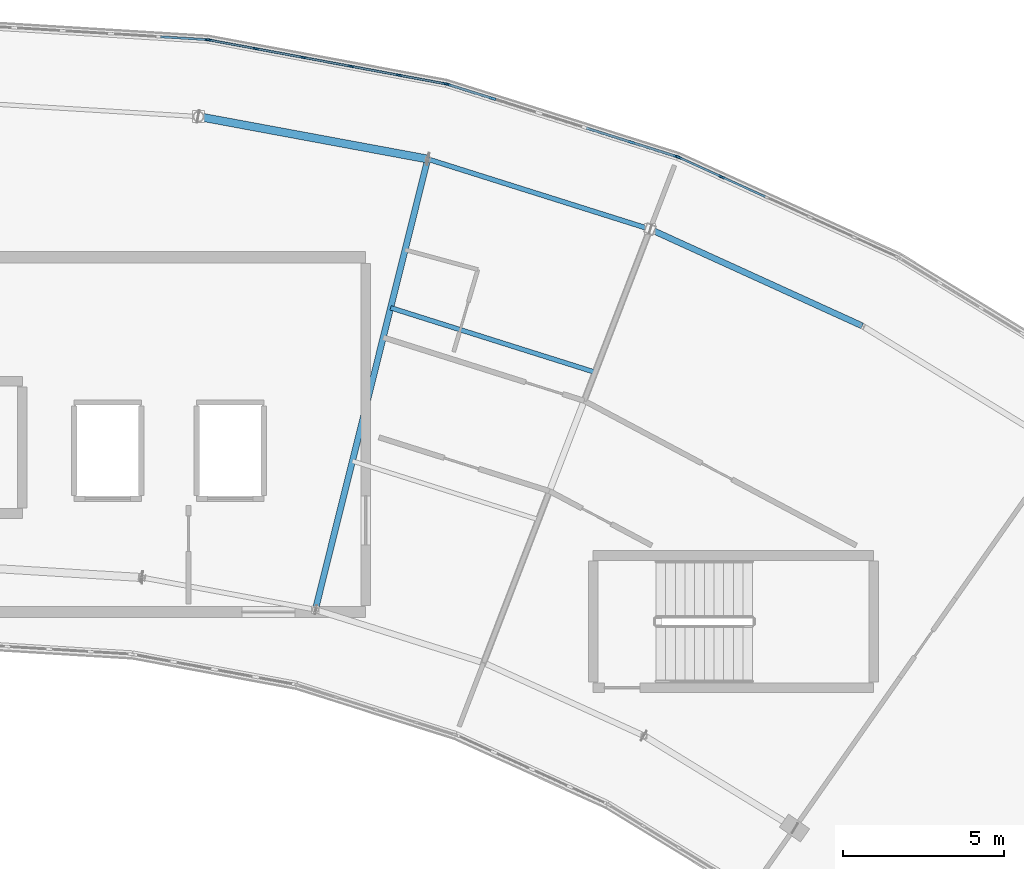
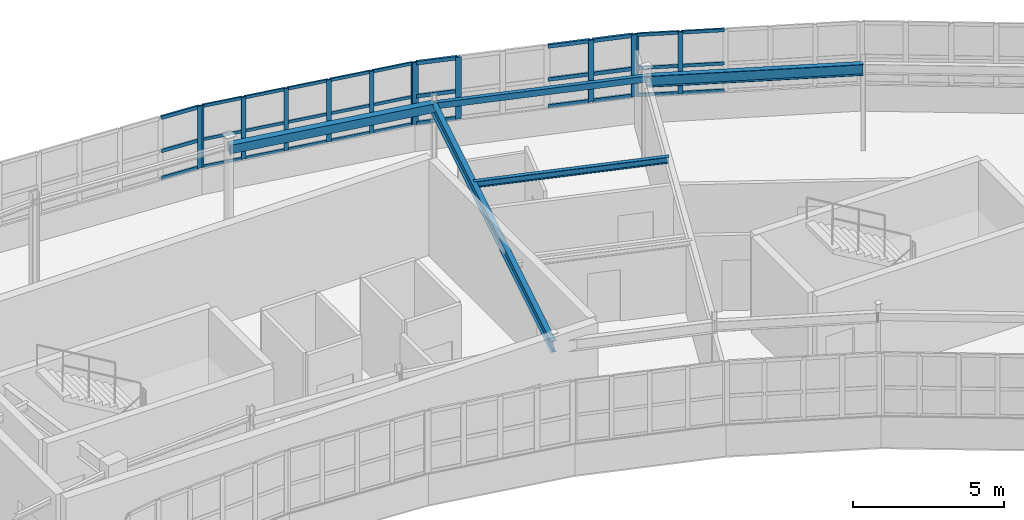
# One storey, part 32 of 65: 46 members, 5 beams, 4 elements without a shape of their own.
"""IFC4 building model written with IfcOpenShell, lengths in metres."""

from ifc_helpers import new_model, si_unit, direction, frame, origin, origin_2d, place, context, subcontext, project, spatial, rectangle, hollow_rectangle, i_section, extrude, material, layer, layer_set, material_profile, profile_set, type_object, element, aggregate, save


model = new_model("IFC4")

# Units and contexts
model_context = context("Model", 3, precision=1e-05, world=origin(), true_north=direction((0.0, 1.0)))
body_context = subcontext(model_context, "Body", "Model", "MODEL_VIEW")
ifc_project = project(units=[si_unit("LENGTHUNIT", "METRE"), si_unit("AREAUNIT", "SQUARE_METRE"), si_unit("VOLUMEUNIT", "CUBIC_METRE"), si_unit("PLANEANGLEUNIT", "RADIAN"), si_unit("MASSUNIT", "GRAM", prefix="KILO")], contexts=[model_context])

# Site, building, storey
site_placement = place(None, origin())
site = spatial("IfcSite", under=ifc_project, at=site_placement, CompositionType="ELEMENT")
building_placement = place(site_placement, origin())
building = spatial("IfcBuilding", under=site, at=building_placement, Name="Tarnwether General Hospital", CompositionType="ELEMENT")
storey_placement = place(building_placement, frame((0.0, 0.0, 22.199951171875)))
storey = spatial("IfcBuildingStorey", under=building, at=storey_placement, Name="L05", CompositionType="ELEMENT", Elevation=22.199951171875)

# Beams
ifc_material_1 = material(Name="Steel Grade 350 (350 MPa)", Category="steel")
ifc_material_profile_1 = material_profile(ifc_material_1, i_section(OverallWidth=0.19091796875, OverallDepth=0.4599609375, WebThickness=0.010009765625, FlangeThickness=0.01611328125, at=origin_2d()), Name="460UB82.1")
ifc_profile_set_1 = profile_set([ifc_material_profile_1], Name="Steel Grade 350 (350 MPa)")
beam_type_1 = type_object("IfcBeamType", Name="BM-G08", PredefinedType="BEAM", material=ifc_profile_set_1)
beam_1_placement = place(storey_placement, frame((106.322021484375, 120.44189453125, 3.330078125), z_axis=(-0.241941215118, -0.970290909175, 0.0), x_axis=(0.970290909175, -0.241941215118, 0.0)))
element("IfcBeam", 1, at=beam_1_placement, inside=storey, type_object=beam_type_1, Name="Curved Ward NW Radial Girder BMG-L05-10632_12044-10284_10647-1985", PredefinedType="BEAM", context=body_context, shape_type="SweptSolid", body=[
    extrude(i_section(OverallWidth=0.19091796875, OverallDepth=0.4599609375, WebThickness=0.010009765625, FlangeThickness=0.01611328125, at=origin_2d()), origin(), (0.0, 0.0, 1.0), 14.400634765625),
])
ifc_material_2 = material(Name="Steel Grade 350 (350 MPa)", Category="steel")
ifc_material_profile_2 = material_profile(ifc_material_2, i_section(OverallWidth=0.14599609375, OverallDepth=0.256103515625, WebThickness=0.00634765625, FlangeThickness=0.010986328125, at=origin_2d()), Name="250UB37.3")
ifc_profile_set_2 = profile_set([ifc_material_profile_2], Name="Steel Grade 350 (350 MPa)")
beam_type_2 = type_object("IfcBeamType", Name="BM-J09", PredefinedType="JOIST", material=ifc_profile_set_2)
beam_2_placement = place(storey_placement, frame((105.172119140625, 115.8310546875, 3.43212890625), z_axis=(0.953671429399, -0.300850136693, 0.0), x_axis=(0.300850136693, 0.953671429399, 0.0)))
element("IfcBeam", 2, at=beam_2_placement, inside=storey, type_object=beam_type_2, Name="Curved Ward NW Chord Joist BMG-L05-10517_11583-11151_11383-2007", PredefinedType="JOIST", context=body_context, shape_type="SweptSolid", body=[
    extrude(i_section(OverallWidth=0.14599609375, OverallDepth=0.256103515625, WebThickness=0.00634765625, FlangeThickness=0.010986328125, at=origin_2d()), origin(), (0.0, 0.0, 1.0), 6.64794921875),
])
ifc_material_3 = material(Name="Steel Grade 350 (350 MPa)", Category="steel")
ifc_material_profile_3 = material_profile(ifc_material_3, i_section(OverallWidth=0.18994140625, OverallDepth=0.4541015625, WebThickness=0.008544921875, FlangeThickness=0.0126953125, at=origin_2d()), Name="460UB67.1")
ifc_profile_set_3 = profile_set([ifc_material_profile_3], Name="Steel Grade 350 (350 MPa)")
beam_type_3 = type_object("IfcBeamType", Name="BM-SP1", PredefinedType="SPANDREL", material=ifc_profile_set_3)
beam_3_placement = place(storey_placement, frame((113.215087890625, 118.26806640625, 3.3330078125), z_axis=(0.909943842177, -0.414731484316, 0.0), x_axis=(0.414731484316, 0.909943842177, 0.0)))
element("IfcBeam", 3, at=beam_3_placement, inside=storey, type_object=beam_type_3, Name="Curved Ward NW Outer Spandrel BMG-L05-11322_11827-11979_11527-2009", PredefinedType="SPANDREL", context=body_context, shape_type="SweptSolid", body=[
    extrude(i_section(OverallWidth=0.18994140625, OverallDepth=0.4541015625, WebThickness=0.008544921875, FlangeThickness=0.0126953125, at=origin_2d()), origin(), (0.0, 0.0, 1.0), 7.22900390625),
])
ifc_material_4 = material(Name="Steel Grade C350L0 (350 MPa)", Category="steel")
ifc_material_profile_4 = material_profile(ifc_material_4, hollow_rectangle(XDim=0.25, YDim=0.35009765625, WallThickness=0.012451171875, at=origin_2d()), Name="RHS350x250x12.5")
ifc_profile_set_4 = profile_set([ifc_material_profile_4], Name="Steel Grade C350L0 (350 MPa)")
beam_type_4 = type_object("IfcBeamType", Name="BM-SP7", PredefinedType="SPANDREL", material=ifc_profile_set_4)
beam_4_placement = place(storey_placement, frame((99.215087890625, 121.759033203125, 3.385009765625), z_axis=(0.98325623662, -0.182228354399, 0.0), x_axis=(0.182228354399, 0.98325623662, 0.0)))
element("IfcBeam", 4, at=beam_4_placement, inside=storey, type_object=beam_type_4, Name="Curved Ward NW Outer Spandrel BMG-L05-9922_12176-10632_12044-2003", PredefinedType="SPANDREL", context=body_context, shape_type="SweptSolid", body=[
    extrude(hollow_rectangle(XDim=0.25, YDim=0.35009765625, WallThickness=0.012451171875, at=origin_2d()), origin(), (0.0, 0.0, 1.0), 7.22802734375),
])
ifc_material_5 = material(Name="Steel Grade C350L0 (350 MPa)", Category="steel")
ifc_material_profile_5 = material_profile(ifc_material_5, hollow_rectangle(XDim=0.14990234375, YDim=0.25, WallThickness=0.008056640625, at=origin_2d()), Name="RHS250x150x8")
ifc_profile_set_5 = profile_set([ifc_material_profile_5], Name="Steel Grade C350L0 (350 MPa)")
beam_type_5 = type_object("IfcBeamType", Name="BM-SP8", PredefinedType="SPANDREL", material=ifc_profile_set_5)
beam_5_placement = place(storey_placement, frame((106.322021484375, 120.44189453125, 3.43505859375), z_axis=(0.953698988948, -0.300762761125, 0.0), x_axis=(0.300762761125, 0.953698988948, 0.0)))
element("IfcBeam", 5, at=beam_5_placement, inside=storey, type_object=beam_type_5, Name="Curved Ward NW Outer Spandrel BMG-L05-10632_12044-11322_11827-2005", PredefinedType="SPANDREL", context=body_context, shape_type="SweptSolid", body=[
    extrude(hollow_rectangle(XDim=0.14990234375, YDim=0.25, WallThickness=0.008056640625, at=origin_2d()), origin(), (0.0, 0.0, 1.0), 7.227783203125),
])

# Curtain wall, members
ifc_material_6 = material(Name="Anodised aluminium", Category="aluminium")
ifc_layer = layer(ifc_material_6, 0.159912109375)
ifc_layer_set = layer_set([ifc_layer], Name="Anodised aluminium")
curtain_wall_type = type_object("IfcCurtainWallType", Name="CW-05", PredefinedType="NOTDEFINED", material=ifc_layer_set)
curtain_wall_1_placement = place(storey_placement, origin())
curtain_wall_1 = element("IfcCurtainWall", 6, at=curtain_wall_1_placement, inside=storey, type_object=curtain_wall_type, Name="Curtain Wall CWG-L05-995_1241-0089", PredefinedType="NOTDEFINED")
ifc_material_7 = material(Name="Anodised aluminium", Category="aluminium")
ifc_material_profile_6 = material_profile(ifc_material_7, rectangle(XDim=0.06005859375, YDim=0.159912109375, at=origin_2d()), Name="ALU-MUL-60x160")
ifc_profile_set_6 = profile_set([ifc_material_profile_6], Name="Anodised aluminium")
member_type_1 = type_object("IfcMemberType", Name="CW-ML1", PredefinedType="MULLION", material=ifc_profile_set_6)
member_1_placement = place(storey_placement, frame((99.536376953125, 124.135498046875, 1.050048828125), z_axis=(0.0, 0.0, 1.0), x_axis=(0.182289226614, 0.983244953132, 0.0)))
member_1 = element("IfcMember", 7, at=member_1_placement, type_object=member_type_1, Name="CW-05 mullion 1", PredefinedType="MULLION", context=body_context, shape_type="SweptSolid", body=[
    extrude(rectangle(XDim=0.06005859375, YDim=0.159912109375, at=origin_2d()), origin(), (0.0, 0.0, 1.0), 2.510009765625),
])
member_2_placement = place(storey_placement, frame((100.986083984375, 123.86669921875, 1.050048828125), z_axis=(0.0, 0.0, 1.0), x_axis=(0.182289226614, 0.983244953132, 0.0)))
member_2 = element("IfcMember", 8, at=member_2_placement, type_object=member_type_1, Name="CW-05 mullion 2", PredefinedType="MULLION", context=body_context, shape_type="SweptSolid", body=[
    extrude(rectangle(XDim=0.06005859375, YDim=0.159912109375, at=origin_2d()), origin(), (0.0, 0.0, 1.0), 2.510009765625),
])
member_3_placement = place(storey_placement, frame((102.465087890625, 123.592529296875, 1.050048828125), z_axis=(0.0, 0.0, 1.0), x_axis=(0.182289226614, 0.983244953132, 0.0)))
member_3 = element("IfcMember", 9, at=member_3_placement, type_object=member_type_1, Name="CW-05 mullion 3", PredefinedType="MULLION", context=body_context, shape_type="SweptSolid", body=[
    extrude(rectangle(XDim=0.06005859375, YDim=0.159912109375, at=origin_2d()), origin(), (0.0, 0.0, 1.0), 2.510009765625),
])
member_4_placement = place(storey_placement, frame((103.944091796875, 123.318359375, 1.050048828125), z_axis=(0.0, 0.0, 1.0), x_axis=(0.182289226614, 0.983244953132, 0.0)))
member_4 = element("IfcMember", 10, at=member_4_placement, type_object=member_type_1, Name="CW-05 mullion 4", PredefinedType="MULLION", context=body_context, shape_type="SweptSolid", body=[
    extrude(rectangle(XDim=0.06005859375, YDim=0.159912109375, at=origin_2d()), origin(), (0.0, 0.0, 1.0), 2.510009765625),
])
member_5_placement = place(storey_placement, frame((105.423095703125, 123.044189453125, 1.050048828125), z_axis=(0.0, 0.0, 1.0), x_axis=(0.182289226614, 0.983244953132, 0.0)))
member_5 = element("IfcMember", 11, at=member_5_placement, type_object=member_type_1, Name="CW-05 mullion 5", PredefinedType="MULLION", context=body_context, shape_type="SweptSolid", body=[
    extrude(rectangle(XDim=0.06005859375, YDim=0.159912109375, at=origin_2d()), origin(), (0.0, 0.0, 1.0), 2.510009765625),
])
member_6_placement = place(storey_placement, frame((106.87255859375, 122.775390625, 1.050048828125), z_axis=(0.0, 0.0, 1.0), x_axis=(0.182289226614, 0.983244953132, 0.0)))
member_6 = element("IfcMember", 12, at=member_6_placement, type_object=member_type_1, Name="CW-05 mullion 6", PredefinedType="MULLION", context=body_context, shape_type="SweptSolid", body=[
    extrude(rectangle(XDim=0.06005859375, YDim=0.159912109375, at=origin_2d()), origin(), (0.0, 0.0, 1.0), 2.510009765625),
])

# Curtain wall, member
curtain_wall_2_placement = place(storey_placement, origin())
curtain_wall_2 = element("IfcCurtainWall", 13, at=curtain_wall_2_placement, inside=storey, type_object=curtain_wall_type, Name="Curtain Wall CWG-L05-920_1246-0090", PredefinedType="NOTDEFINED")
ifc_material_8 = material(Name="Anodised aluminium", Category="aluminium")
ifc_material_profile_7 = material_profile(ifc_material_8, rectangle(XDim=0.070068359375, YDim=0.179931640625, at=origin_2d()), Name="ALU-MUL-70x180")
ifc_profile_set_7 = profile_set([ifc_material_profile_7], Name="Anodised aluminium")
member_type_2 = type_object("IfcMemberType", Name="CW-ML2", PredefinedType="MULLION", material=ifc_profile_set_7)
member_7_placement = place(storey_placement, frame((99.47216796875, 124.14306640625, 1.050048828125), z_axis=(0.0, 0.0, 1.0), x_axis=(0.061028962567, 0.998135995608, 0.0)))
member_7 = element("IfcMember", 14, at=member_7_placement, type_object=member_type_2, Name="CW-05 mullion 6", PredefinedType="MULLION", context=body_context, shape_type="SweptSolid", body=[
    extrude(rectangle(XDim=0.070068359375, YDim=0.179931640625, at=origin_2d()), origin(), (0.0, 0.0, 1.0), 2.510009765625),
])

# Curtain wall, members
curtain_wall_3_placement = place(storey_placement, origin())
curtain_wall_3 = element("IfcCurtainWall", 15, at=curtain_wall_3_placement, inside=storey, type_object=curtain_wall_type, Name="Curtain Wall CWG-L05-1141_1205-0087", PredefinedType="NOTDEFINED")
ifc_material_9 = material(Name="Anodised aluminium", Category="aluminium")
ifc_material_profile_8 = material_profile(ifc_material_9, rectangle(XDim=0.06494140625, YDim=0.169921875, at=origin_2d()), Name="ALU-MUL-65x170")
ifc_profile_set_8 = profile_set([ifc_material_profile_8], Name="Anodised aluminium")
member_type_3 = type_object("IfcMemberType", Name="CW-ML3", PredefinedType="MULLION", material=ifc_profile_set_8)
member_8_placement = place(storey_placement, frame((114.1044921875, 120.49560546875, 1.050048828125), z_axis=(0.0, 0.0, 1.0), x_axis=(0.414694289316, 0.909960793886, 0.0)))
member_8 = element("IfcMember", 16, at=member_8_placement, type_object=member_type_3, Name="CW-05 mullion 1", PredefinedType="MULLION", context=body_context, shape_type="SweptSolid", body=[
    extrude(rectangle(XDim=0.06494140625, YDim=0.169921875, at=origin_2d()), origin(), (0.0, 0.0, 1.0), 2.510009765625),
])
member_9_placement = place(storey_placement, frame((115.44384765625, 119.88525390625, 1.050048828125), z_axis=(0.0, 0.0, 1.0), x_axis=(0.414694289316, 0.909960793886, 0.0)))
member_9 = element("IfcMember", 17, at=member_9_placement, type_object=member_type_3, Name="CW-05 mullion 2", PredefinedType="MULLION", context=body_context, shape_type="SweptSolid", body=[
    extrude(rectangle(XDim=0.06494140625, YDim=0.169921875, at=origin_2d()), origin(), (0.0, 0.0, 1.0), 2.510009765625),
])

curtain_wall_4_placement = place(storey_placement, origin())
curtain_wall_4 = element("IfcCurtainWall", 18, at=curtain_wall_4_placement, inside=storey, type_object=curtain_wall_type, Name="Curtain Wall CWG-L05-1069_1228-0088", PredefinedType="NOTDEFINED")
ifc_material_10 = material(Name="Anodised aluminium", Category="aluminium")
ifc_material_profile_9 = material_profile(ifc_material_10, rectangle(XDim=0.080078125, YDim=0.199951171875, at=origin_2d()), Name="ALU-MUL-80x200")
ifc_profile_set_9 = profile_set([ifc_material_profile_9], Name="Anodised aluminium")
member_type_4 = type_object("IfcMemberType", Name="CW-ML4", PredefinedType="MULLION", material=ifc_profile_set_9)
member_10_placement = place(storey_placement, frame((106.940185546875, 122.758056640625, 1.050048828125), z_axis=(0.0, 0.0, 1.0), x_axis=(0.300628613299, 0.953741284032, 0.0)))
member_10 = element("IfcMember", 19, at=member_10_placement, type_object=member_type_4, Name="CW-05 mullion 1", PredefinedType="MULLION", context=body_context, shape_type="SweptSolid", body=[
    extrude(rectangle(XDim=0.080078125, YDim=0.199951171875, at=origin_2d()), origin(), (0.0, 0.0, 1.0), 2.510009765625),
])
member_11_placement = place(storey_placement, frame((108.336669921875, 122.31787109375, 1.050048828125), z_axis=(0.0, 0.0, 1.0), x_axis=(0.300628613299, 0.953741284032, 0.0)))
member_11 = element("IfcMember", 20, at=member_11_placement, type_object=member_type_4, Name="CW-05 mullion 2", PredefinedType="MULLION", context=body_context, shape_type="SweptSolid", body=[
    extrude(rectangle(XDim=0.080078125, YDim=0.199951171875, at=origin_2d()), origin(), (0.0, 0.0, 1.0), 2.510009765625),
])
member_12_placement = place(storey_placement, frame((112.640380859375, 120.961181640625, 1.050048828125), z_axis=(0.0, 0.0, 1.0), x_axis=(0.300628613299, 0.953741284032, 0.0)))
member_12 = element("IfcMember", 21, at=member_12_placement, type_object=member_type_4, Name="CW-05 mullion 5", PredefinedType="MULLION", context=body_context, shape_type="SweptSolid", body=[
    extrude(rectangle(XDim=0.080078125, YDim=0.199951171875, at=origin_2d()), origin(), (0.0, 0.0, 1.0), 2.510009765625),
])
member_13_placement = place(storey_placement, frame((114.036865234375, 120.52099609375, 1.050048828125), z_axis=(0.0, 0.0, 1.0), x_axis=(0.300628613299, 0.953741284032, 0.0)))
member_13 = element("IfcMember", 22, at=member_13_placement, type_object=member_type_4, Name="CW-05 mullion 6", PredefinedType="MULLION", context=body_context, shape_type="SweptSolid", body=[
    extrude(rectangle(XDim=0.080078125, YDim=0.199951171875, at=origin_2d()), origin(), (0.0, 0.0, 1.0), 2.510009765625),
])

# Member
ifc_material_11 = material(Name="Anodised aluminium", Category="aluminium")
ifc_material_profile_10 = material_profile(ifc_material_11, rectangle(XDim=0.06005859375, YDim=0.1201171875, at=origin_2d()), Name="ALU-TRN-60x120")
ifc_profile_set_10 = profile_set([ifc_material_profile_10], Name="Anodised aluminium")
member_type_5 = type_object("IfcMemberType", Name="CW-TR1", PredefinedType="USERDEFINED", material=ifc_profile_set_10)
member_14_placement = place(storey_placement, frame((99.56591796875, 124.130126953125, 1.080078125), z_axis=(0.983245354782, -0.182287060156, 0.0), x_axis=(0.182287060156, 0.983245354782, 0.0)))
member_14 = element("IfcMember", 23, at=member_14_placement, type_object=member_type_5, Name="CW-05 transom 1.1", ObjectType="TRANSOM", PredefinedType="USERDEFINED", context=body_context, shape_type="SweptSolid", body=[
    extrude(rectangle(XDim=0.06005859375, YDim=0.1201171875, at=origin_2d()), origin(), (0.0, 0.0, 1.0), 1.414306640625),
])

member_15_placement = place(storey_placement, frame((99.56591796875, 124.130126953125, 2.179443359375), z_axis=(0.983245354782, -0.182287060156, 0.0), x_axis=(0.182287060156, 0.983245354782, 0.0)))
member_15 = element("IfcMember", 24, at=member_15_placement, type_object=member_type_5, Name="CW-05 transom 1.2", ObjectType="TRANSOM", PredefinedType="USERDEFINED", context=body_context, shape_type="SweptSolid", body=[
    extrude(rectangle(XDim=0.06005859375, YDim=0.1201171875, at=origin_2d()), origin(), (0.0, 0.0, 1.0), 1.414306640625),
])

member_16_placement = place(storey_placement, frame((99.56591796875, 124.130126953125, 3.530029296875), z_axis=(0.983245354782, -0.182287060156, 0.0), x_axis=(0.182287060156, 0.983245354782, 0.0)))
member_16 = element("IfcMember", 25, at=member_16_placement, type_object=member_type_5, Name="CW-05 transom 1.3", ObjectType="TRANSOM", PredefinedType="USERDEFINED", context=body_context, shape_type="SweptSolid", body=[
    extrude(rectangle(XDim=0.06005859375, YDim=0.1201171875, at=origin_2d()), origin(), (0.0, 0.0, 1.0), 1.414306640625),
])

member_17_placement = place(storey_placement, frame((101.015380859375, 123.861328125, 1.080078125), z_axis=(0.983258457846, -0.182216368843, 0.0), x_axis=(0.182216368843, 0.983258457846, 0.0)))
member_17 = element("IfcMember", 26, at=member_17_placement, type_object=member_type_5, Name="CW-05 transom 2.1", ObjectType="TRANSOM", PredefinedType="USERDEFINED", context=body_context, shape_type="SweptSolid", body=[
    extrude(rectangle(XDim=0.06005859375, YDim=0.1201171875, at=origin_2d()), origin(), (0.0, 0.0, 1.0), 1.4443359375),
])

member_18_placement = place(storey_placement, frame((101.015380859375, 123.861328125, 2.179443359375), z_axis=(0.983258457846, -0.182216368843, 0.0), x_axis=(0.182216368843, 0.983258457846, 0.0)))
member_18 = element("IfcMember", 27, at=member_18_placement, type_object=member_type_5, Name="CW-05 transom 2.2", ObjectType="TRANSOM", PredefinedType="USERDEFINED", context=body_context, shape_type="SweptSolid", body=[
    extrude(rectangle(XDim=0.06005859375, YDim=0.1201171875, at=origin_2d()), origin(), (0.0, 0.0, 1.0), 1.4443359375),
])

member_19_placement = place(storey_placement, frame((101.015380859375, 123.861328125, 3.530029296875), z_axis=(0.983258457846, -0.182216368843, 0.0), x_axis=(0.182216368843, 0.983258457846, 0.0)))
member_19 = element("IfcMember", 28, at=member_19_placement, type_object=member_type_5, Name="CW-05 transom 2.3", ObjectType="TRANSOM", PredefinedType="USERDEFINED", context=body_context, shape_type="SweptSolid", body=[
    extrude(rectangle(XDim=0.06005859375, YDim=0.1201171875, at=origin_2d()), origin(), (0.0, 0.0, 1.0), 1.4443359375),
])

member_20_placement = place(storey_placement, frame((102.494384765625, 123.587158203125, 1.080078125), z_axis=(0.983258457846, -0.182216368843, 0.0), x_axis=(0.182216368843, 0.983258457846, 0.0)))
member_20 = element("IfcMember", 29, at=member_20_placement, type_object=member_type_5, Name="CW-05 transom 3.1", ObjectType="TRANSOM", PredefinedType="USERDEFINED", context=body_context, shape_type="SweptSolid", body=[
    extrude(rectangle(XDim=0.06005859375, YDim=0.1201171875, at=origin_2d()), origin(), (0.0, 0.0, 1.0), 1.4443359375),
])

member_21_placement = place(storey_placement, frame((102.494384765625, 123.587158203125, 2.179443359375), z_axis=(0.983258457846, -0.182216368843, 0.0), x_axis=(0.182216368843, 0.983258457846, 0.0)))
member_21 = element("IfcMember", 30, at=member_21_placement, type_object=member_type_5, Name="CW-05 transom 3.2", ObjectType="TRANSOM", PredefinedType="USERDEFINED", context=body_context, shape_type="SweptSolid", body=[
    extrude(rectangle(XDim=0.06005859375, YDim=0.1201171875, at=origin_2d()), origin(), (0.0, 0.0, 1.0), 1.4443359375),
])

member_22_placement = place(storey_placement, frame((102.494384765625, 123.587158203125, 3.530029296875), z_axis=(0.983258457846, -0.182216368843, 0.0), x_axis=(0.182216368843, 0.983258457846, 0.0)))
member_22 = element("IfcMember", 31, at=member_22_placement, type_object=member_type_5, Name="CW-05 transom 3.3", ObjectType="TRANSOM", PredefinedType="USERDEFINED", context=body_context, shape_type="SweptSolid", body=[
    extrude(rectangle(XDim=0.06005859375, YDim=0.1201171875, at=origin_2d()), origin(), (0.0, 0.0, 1.0), 1.4443359375),
])

member_23_placement = place(storey_placement, frame((103.973388671875, 123.31298828125, 1.080078125), z_axis=(0.98322816047, -0.18237978084, 0.0), x_axis=(0.18237978084, 0.98322816047, 0.0)))
member_23 = element("IfcMember", 32, at=member_23_placement, type_object=member_type_5, Name="CW-05 transom 4.1", ObjectType="TRANSOM", PredefinedType="USERDEFINED", context=body_context, shape_type="SweptSolid", body=[
    extrude(rectangle(XDim=0.06005859375, YDim=0.1201171875, at=origin_2d()), origin(), (0.0, 0.0, 1.0), 1.4443359375),
])

member_24_placement = place(storey_placement, frame((103.973388671875, 123.31298828125, 2.179443359375), z_axis=(0.98322816047, -0.18237978084, 0.0), x_axis=(0.18237978084, 0.98322816047, 0.0)))
member_24 = element("IfcMember", 33, at=member_24_placement, type_object=member_type_5, Name="CW-05 transom 4.2", ObjectType="TRANSOM", PredefinedType="USERDEFINED", context=body_context, shape_type="SweptSolid", body=[
    extrude(rectangle(XDim=0.06005859375, YDim=0.1201171875, at=origin_2d()), origin(), (0.0, 0.0, 1.0), 1.4443359375),
])

member_25_placement = place(storey_placement, frame((103.973388671875, 123.31298828125, 3.530029296875), z_axis=(0.98322816047, -0.18237978084, 0.0), x_axis=(0.18237978084, 0.98322816047, 0.0)))
member_25 = element("IfcMember", 34, at=member_25_placement, type_object=member_type_5, Name="CW-05 transom 4.3", ObjectType="TRANSOM", PredefinedType="USERDEFINED", context=body_context, shape_type="SweptSolid", body=[
    extrude(rectangle(XDim=0.06005859375, YDim=0.1201171875, at=origin_2d()), origin(), (0.0, 0.0, 1.0), 1.4443359375),
])

member_26_placement = place(storey_placement, frame((105.452392578125, 123.038818359375, 1.080078125), z_axis=(0.983245354782, -0.182287060156, 0.0), x_axis=(0.182287060156, 0.983245354782, 0.0)))
member_26 = element("IfcMember", 35, at=member_26_placement, type_object=member_type_5, Name="CW-05 transom 5.1", ObjectType="TRANSOM", PredefinedType="USERDEFINED", context=body_context, shape_type="SweptSolid", body=[
    extrude(rectangle(XDim=0.06005859375, YDim=0.1201171875, at=origin_2d()), origin(), (0.0, 0.0, 1.0), 1.414306640625),
])

member_27_placement = place(storey_placement, frame((105.452392578125, 123.038818359375, 2.179443359375), z_axis=(0.983245354782, -0.182287060156, 0.0), x_axis=(0.182287060156, 0.983245354782, 0.0)))
member_27 = element("IfcMember", 36, at=member_27_placement, type_object=member_type_5, Name="CW-05 transom 5.2", ObjectType="TRANSOM", PredefinedType="USERDEFINED", context=body_context, shape_type="SweptSolid", body=[
    extrude(rectangle(XDim=0.06005859375, YDim=0.1201171875, at=origin_2d()), origin(), (0.0, 0.0, 1.0), 1.414306640625),
])

member_28_placement = place(storey_placement, frame((105.452392578125, 123.038818359375, 3.530029296875), z_axis=(0.983245354782, -0.182287060156, 0.0), x_axis=(0.182287060156, 0.983245354782, 0.0)))
member_28 = element("IfcMember", 37, at=member_28_placement, type_object=member_type_5, Name="CW-05 transom 5.3", ObjectType="TRANSOM", PredefinedType="USERDEFINED", context=body_context, shape_type="SweptSolid", body=[
    extrude(rectangle(XDim=0.06005859375, YDim=0.1201171875, at=origin_2d()), origin(), (0.0, 0.0, 1.0), 1.414306640625),
])

aggregate(curtain_wall_1, [member_1, member_2, member_3, member_4, member_5, member_6, member_14, member_15, member_16, member_17, member_18, member_19, member_20, member_21, member_22, member_23, member_24, member_25, member_26, member_27, member_28])

ifc_material_12 = material(Name="Anodised aluminium", Category="aluminium")
ifc_material_profile_11 = material_profile(ifc_material_12, rectangle(XDim=0.070068359375, YDim=0.139892578125, at=origin_2d()), Name="ALU-TRN-70x140")
ifc_profile_set_11 = profile_set([ifc_material_profile_11], Name="Anodised aluminium")
member_type_6 = type_object("IfcMemberType", Name="CW-TR2", PredefinedType="USERDEFINED", material=ifc_profile_set_11)
member_29_placement = place(storey_placement, frame((98.04052734375, 124.230712890625, 1.0849609375), z_axis=(0.998133205119, -0.061074584229, 0.0), x_axis=(0.061074584229, 0.998133205119, 0.0)))
member_29 = element("IfcMember", 38, at=member_29_placement, type_object=member_type_6, Name="CW-05 transom 5.1", ObjectType="TRANSOM", PredefinedType="USERDEFINED", context=body_context, shape_type="SweptSolid", body=[
    extrude(rectangle(XDim=0.070068359375, YDim=0.139892578125, at=origin_2d()), origin(), (0.0, 0.0, 1.0), 1.399169921875),
])

member_30_placement = place(storey_placement, frame((98.04052734375, 124.230712890625, 2.179443359375), z_axis=(0.998133205119, -0.061074584229, 0.0), x_axis=(0.061074584229, 0.998133205119, 0.0)))
member_30 = element("IfcMember", 39, at=member_30_placement, type_object=member_type_6, Name="CW-05 transom 5.2", ObjectType="TRANSOM", PredefinedType="USERDEFINED", context=body_context, shape_type="SweptSolid", body=[
    extrude(rectangle(XDim=0.070068359375, YDim=0.139892578125, at=origin_2d()), origin(), (0.0, 0.0, 1.0), 1.399169921875),
])

member_31_placement = place(storey_placement, frame((98.04052734375, 124.230712890625, 3.525146484375), z_axis=(0.998133205119, -0.061074584229, 0.0), x_axis=(0.061074584229, 0.998133205119, 0.0)))
member_31 = element("IfcMember", 40, at=member_31_placement, type_object=member_type_6, Name="CW-05 transom 5.3", ObjectType="TRANSOM", PredefinedType="USERDEFINED", context=body_context, shape_type="SweptSolid", body=[
    extrude(rectangle(XDim=0.070068359375, YDim=0.139892578125, at=origin_2d()), origin(), (0.0, 0.0, 1.0), 1.399169921875),
])

aggregate(curtain_wall_2, [member_7, member_29, member_30, member_31])

ifc_material_13 = material(Name="Anodised aluminium", Category="aluminium")
ifc_material_profile_12 = material_profile(ifc_material_13, rectangle(XDim=0.06494140625, YDim=0.1298828125, at=origin_2d()), Name="ALU-TRN-65x130")
ifc_profile_set_12 = profile_set([ifc_material_profile_12], Name="Anodised aluminium")
member_type_7 = type_object("IfcMemberType", Name="CW-TR3", PredefinedType="USERDEFINED", material=ifc_profile_set_12)
member_32_placement = place(storey_placement, frame((114.134033203125, 120.48193359375, 1.08251953125), z_axis=(0.910015515634, -0.414574192763, 0.0), x_axis=(0.414574192763, 0.910015515634, 0.0)))
member_32 = element("IfcMember", 41, at=member_32_placement, type_object=member_type_7, Name="CW-05 transom 1.1", ObjectType="TRANSOM", PredefinedType="USERDEFINED", context=body_context, shape_type="SweptSolid", body=[
    extrude(rectangle(XDim=0.06494140625, YDim=0.1298828125, at=origin_2d()), origin(), (0.0, 0.0, 1.0), 1.406982421875),
])

member_33_placement = place(storey_placement, frame((114.134033203125, 120.48193359375, 2.179443359375), z_axis=(0.910015515634, -0.414574192763, 0.0), x_axis=(0.414574192763, 0.910015515634, 0.0)))
member_33 = element("IfcMember", 42, at=member_33_placement, type_object=member_type_7, Name="CW-05 transom 1.2", ObjectType="TRANSOM", PredefinedType="USERDEFINED", context=body_context, shape_type="SweptSolid", body=[
    extrude(rectangle(XDim=0.06494140625, YDim=0.1298828125, at=origin_2d()), origin(), (0.0, 0.0, 1.0), 1.406982421875),
])

member_34_placement = place(storey_placement, frame((114.134033203125, 120.48193359375, 3.527587890625), z_axis=(0.910015515634, -0.414574192763, 0.0), x_axis=(0.414574192763, 0.910015515634, 0.0)))
member_34 = element("IfcMember", 43, at=member_34_placement, type_object=member_type_7, Name="CW-05 transom 1.3", ObjectType="TRANSOM", PredefinedType="USERDEFINED", context=body_context, shape_type="SweptSolid", body=[
    extrude(rectangle(XDim=0.06494140625, YDim=0.1298828125, at=origin_2d()), origin(), (0.0, 0.0, 1.0), 1.406982421875),
])

member_35_placement = place(storey_placement, frame((115.473388671875, 119.871826171875, 1.08251953125), z_axis=(0.909930262582, -0.414761277408, 0.0), x_axis=(0.414761277408, 0.909930262582, 0.0)))
member_35 = element("IfcMember", 44, at=member_35_placement, type_object=member_type_7, Name="CW-05 transom 2.1", ObjectType="TRANSOM", PredefinedType="USERDEFINED", context=body_context, shape_type="SweptSolid", body=[
    extrude(rectangle(XDim=0.06494140625, YDim=0.1298828125, at=origin_2d()), origin(), (0.0, 0.0, 1.0), 1.439208984375),
])

member_36_placement = place(storey_placement, frame((115.473388671875, 119.871826171875, 2.179443359375), z_axis=(0.909930262582, -0.414761277408, 0.0), x_axis=(0.414761277408, 0.909930262582, 0.0)))
member_36 = element("IfcMember", 45, at=member_36_placement, type_object=member_type_7, Name="CW-05 transom 2.2", ObjectType="TRANSOM", PredefinedType="USERDEFINED", context=body_context, shape_type="SweptSolid", body=[
    extrude(rectangle(XDim=0.06494140625, YDim=0.1298828125, at=origin_2d()), origin(), (0.0, 0.0, 1.0), 1.439208984375),
])

member_37_placement = place(storey_placement, frame((115.473388671875, 119.871826171875, 3.527587890625), z_axis=(0.909930262582, -0.414761277408, 0.0), x_axis=(0.414761277408, 0.909930262582, 0.0)))
member_37 = element("IfcMember", 46, at=member_37_placement, type_object=member_type_7, Name="CW-05 transom 2.3", ObjectType="TRANSOM", PredefinedType="USERDEFINED", context=body_context, shape_type="SweptSolid", body=[
    extrude(rectangle(XDim=0.06494140625, YDim=0.1298828125, at=origin_2d()), origin(), (0.0, 0.0, 1.0), 1.439208984375),
])

aggregate(curtain_wall_3, [member_8, member_9, member_32, member_33, member_34, member_35, member_36, member_37])

ifc_material_14 = material(Name="Anodised aluminium", Category="aluminium")
ifc_material_profile_13 = material_profile(ifc_material_14, rectangle(XDim=0.080078125, YDim=0.14990234375, at=origin_2d()), Name="ALU-TRN-80x150")
ifc_profile_set_13 = profile_set([ifc_material_profile_13], Name="Anodised aluminium")
member_type_8 = type_object("IfcMemberType", Name="CW-TR4", PredefinedType="USERDEFINED", material=ifc_profile_set_13)
member_38_placement = place(storey_placement, frame((106.978271484375, 122.745849609375, 1.090087890625), z_axis=(0.95375845132, -0.300574144821, 0.0), x_axis=(0.300574144821, 0.95375845132, 0.0)))
member_38 = element("IfcMember", 47, at=member_38_placement, type_object=member_type_8, Name="CW-05 transom 1.1", ObjectType="TRANSOM", PredefinedType="USERDEFINED", context=body_context, shape_type="SweptSolid", body=[
    extrude(rectangle(XDim=0.080078125, YDim=0.14990234375, at=origin_2d()), origin(), (0.0, 0.0, 1.0), 1.384033203125),
])

member_39_placement = place(storey_placement, frame((106.978271484375, 122.745849609375, 2.179443359375), z_axis=(0.95375845132, -0.300574144821, 0.0), x_axis=(0.300574144821, 0.95375845132, 0.0)))
member_39 = element("IfcMember", 48, at=member_39_placement, type_object=member_type_8, Name="CW-05 transom 1.2", ObjectType="TRANSOM", PredefinedType="USERDEFINED", context=body_context, shape_type="SweptSolid", body=[
    extrude(rectangle(XDim=0.080078125, YDim=0.14990234375, at=origin_2d()), origin(), (0.0, 0.0, 1.0), 1.384033203125),
])

member_40_placement = place(storey_placement, frame((106.978271484375, 122.745849609375, 3.52001953125), z_axis=(0.95375845132, -0.300574144821, 0.0), x_axis=(0.300574144821, 0.95375845132, 0.0)))
member_40 = element("IfcMember", 49, at=member_40_placement, type_object=member_type_8, Name="CW-05 transom 1.3", ObjectType="TRANSOM", PredefinedType="USERDEFINED", context=body_context, shape_type="SweptSolid", body=[
    extrude(rectangle(XDim=0.080078125, YDim=0.14990234375, at=origin_2d()), origin(), (0.0, 0.0, 1.0), 1.384033203125),
])

member_41_placement = place(storey_placement, frame((111.243896484375, 121.4013671875, 1.090087890625), z_axis=(0.953732801221, -0.300655523606, 0.0), x_axis=(0.300655523606, 0.953732801221, 0.0)))
member_41 = element("IfcMember", 50, at=member_41_placement, type_object=member_type_8, Name="CW-05 transom 4.1", ObjectType="TRANSOM", PredefinedType="USERDEFINED", context=body_context, shape_type="SweptSolid", body=[
    extrude(rectangle(XDim=0.080078125, YDim=0.14990234375, at=origin_2d()), origin(), (0.0, 0.0, 1.0), 1.42431640625),
])

member_42_placement = place(storey_placement, frame((111.243896484375, 121.4013671875, 2.179443359375), z_axis=(0.953732801221, -0.300655523606, 0.0), x_axis=(0.300655523606, 0.953732801221, 0.0)))
member_42 = element("IfcMember", 51, at=member_42_placement, type_object=member_type_8, Name="CW-05 transom 4.2", ObjectType="TRANSOM", PredefinedType="USERDEFINED", context=body_context, shape_type="SweptSolid", body=[
    extrude(rectangle(XDim=0.080078125, YDim=0.14990234375, at=origin_2d()), origin(), (0.0, 0.0, 1.0), 1.42431640625),
])

member_43_placement = place(storey_placement, frame((111.243896484375, 121.4013671875, 3.52001953125), z_axis=(0.953732801221, -0.300655523606, 0.0), x_axis=(0.300655523606, 0.953732801221, 0.0)))
member_43 = element("IfcMember", 52, at=member_43_placement, type_object=member_type_8, Name="CW-05 transom 4.3", ObjectType="TRANSOM", PredefinedType="USERDEFINED", context=body_context, shape_type="SweptSolid", body=[
    extrude(rectangle(XDim=0.080078125, YDim=0.14990234375, at=origin_2d()), origin(), (0.0, 0.0, 1.0), 1.42431640625),
])

member_44_placement = place(storey_placement, frame((112.678466796875, 120.94921875, 1.090087890625), z_axis=(0.953723821306, -0.300684008012, 0.0), x_axis=(0.300684008012, 0.953723821306, 0.0)))
member_44 = element("IfcMember", 53, at=member_44_placement, type_object=member_type_8, Name="CW-05 transom 5.1", ObjectType="TRANSOM", PredefinedType="USERDEFINED", context=body_context, shape_type="SweptSolid", body=[
    extrude(rectangle(XDim=0.080078125, YDim=0.14990234375, at=origin_2d()), origin(), (0.0, 0.0, 1.0), 1.38427734375),
])

member_45_placement = place(storey_placement, frame((112.678466796875, 120.94921875, 2.179443359375), z_axis=(0.953723821306, -0.300684008012, 0.0), x_axis=(0.300684008012, 0.953723821306, 0.0)))
member_45 = element("IfcMember", 54, at=member_45_placement, type_object=member_type_8, Name="CW-05 transom 5.2", ObjectType="TRANSOM", PredefinedType="USERDEFINED", context=body_context, shape_type="SweptSolid", body=[
    extrude(rectangle(XDim=0.080078125, YDim=0.14990234375, at=origin_2d()), origin(), (0.0, 0.0, 1.0), 1.38427734375),
])

member_46_placement = place(storey_placement, frame((112.678466796875, 120.94921875, 3.52001953125), z_axis=(0.953723821306, -0.300684008012, 0.0), x_axis=(0.300684008012, 0.953723821306, 0.0)))
member_46 = element("IfcMember", 55, at=member_46_placement, type_object=member_type_8, Name="CW-05 transom 5.3", ObjectType="TRANSOM", PredefinedType="USERDEFINED", context=body_context, shape_type="SweptSolid", body=[
    extrude(rectangle(XDim=0.080078125, YDim=0.14990234375, at=origin_2d()), origin(), (0.0, 0.0, 1.0), 1.38427734375),
])

aggregate(curtain_wall_4, [member_10, member_11, member_12, member_13, member_38, member_39, member_40, member_41, member_42, member_43, member_44, member_45, member_46])

save(model, "model.ifc")
